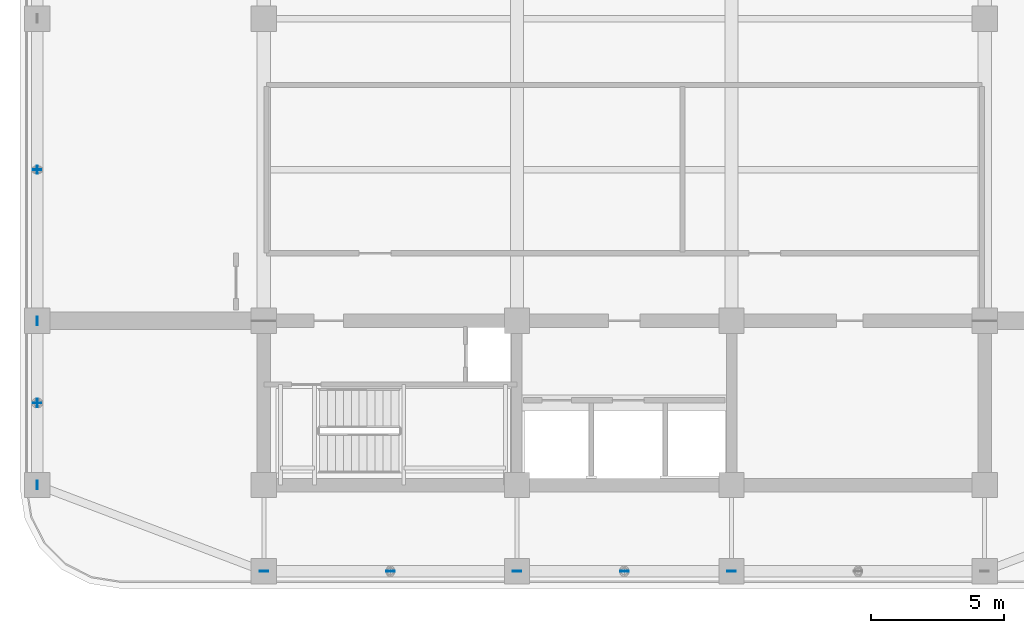
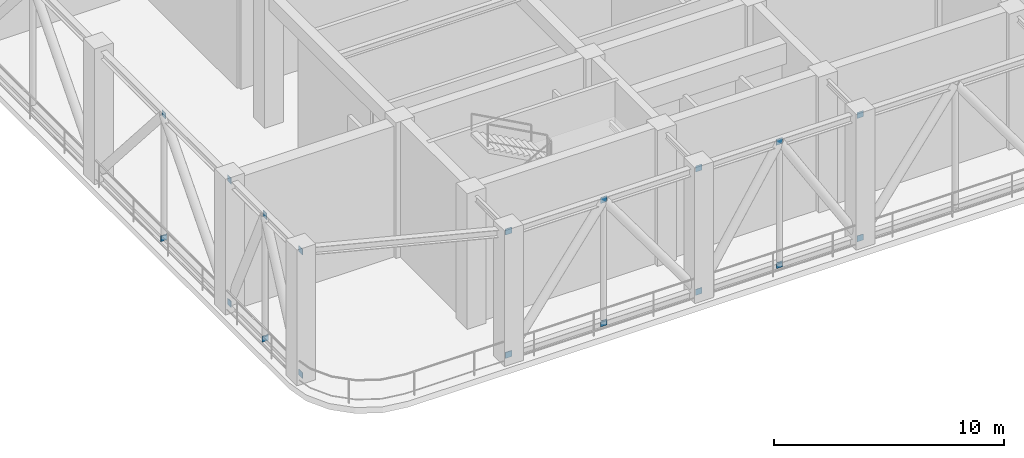
# One storey, part 12 of 20: 18 discrete accessories.
"""IFC4 building model written with IfcOpenShell, lengths in metres."""

from ifc_helpers import new_model, si_unit, direction, frame, origin, origin_2d, place, context, subcontext, project, spatial, rectangle, extrude, material, layer, layer_set, type_object, element, save


model = new_model("IFC4")

# Units and contexts
model_context = context("Model", 3, precision=1e-05, world=origin(), true_north=direction((0.0, 1.0)))
body_context = subcontext(model_context, "Body", "Model", "MODEL_VIEW")
ifc_project = project(units=[si_unit("LENGTHUNIT", "METRE"), si_unit("AREAUNIT", "SQUARE_METRE"), si_unit("VOLUMEUNIT", "CUBIC_METRE"), si_unit("PLANEANGLEUNIT", "RADIAN"), si_unit("MASSUNIT", "GRAM", prefix="KILO")], contexts=[model_context])

# Site, building, storey
site_placement = place(None, origin())
site = spatial("IfcSite", under=ifc_project, at=site_placement, CompositionType="ELEMENT")
building_placement = place(site_placement, origin())
building = spatial("IfcBuilding", under=site, at=building_placement, Name="Svetorya Sky Lyceum", CompositionType="ELEMENT")
storey_placement = place(building_placement, frame((0.0, 0.0, 195.89990234375)))
storey = spatial("IfcBuildingStorey", under=building, at=storey_placement, Name="L49", CompositionType="ELEMENT", Elevation=195.89990234375)

# Discrete accessories
ifc_material = material(Name="Steel S355", Category="steel")
ifc_layer = layer(ifc_material, 0.02392578125)
ifc_layer_set = layer_set([ifc_layer], Name="Steel S355")
discrete_accessory_type = type_object("IfcDiscreteAccessoryType", Name="ACC-GUSSET-24", PredefinedType="BRACKET", material=ifc_layer_set)
for number, where, z_axis, x_axis, name in (
    (1, (25.60009765625, 7.35009765625, 0.037109375), (0.0, 0.0, 1.0), (1.0, 0.0, 0.0), "L49 Brace Node Gusset Plate 129"),
    (2, (35.14990234375, 7.35009765625, 0.037109375), (0.0, 0.0, 1.0), (1.0, 0.0, 0.0), "L49 Brace Node Gusset Plate 130"),
    (3, (25.60009765625, 7.35009765625, 6.5830078125), (0.0, 0.0, 1.0), (1.0, 0.0, 0.0), "L49 Brace Node Gusset Plate 131"),
    (4, (35.14990234375, 7.35009765625, 6.5830078125), (0.0, 0.0, 1.0), (1.0, 0.0, 0.0), "L49 Brace Node Gusset Plate 132"),
    (5, (30.375, 7.35009765625, 6.5830078125), (0.0, 0.0, 1.0), (1.0, 0.0, 0.0), "L49 Brace Node Gusset Plate 133"),
    (6, (30.375, 7.35009765625, 0.037109375), (0.0, 0.0, 1.0), (1.0, 0.0, 0.0), "L49 Brace Node Gusset Plate 134"),
    (7, (43.25, 7.35009765625, 0.037109375), (0.0, 0.0, 1.0), (1.0, 0.0, 0.0), "L49 Brace Node Gusset Plate 135"),
    (8, (43.25, 7.35009765625, 6.5830078125), (0.0, 0.0, 1.0), (1.0, 0.0, 0.0), "L49 Brace Node Gusset Plate 136"),
    (9, (39.199951171875, 7.35009765625, 6.5830078125), (0.0, 0.0, 1.0), (1.0, 0.0, 0.0), "L49 Brace Node Gusset Plate 137"),
    (10, (39.199951171875, 7.35009765625, 0.037109375), (0.0, 0.0, 1.0), (1.0, 0.0, 0.0), "L49 Brace Node Gusset Plate 138"),
):
    element("IfcDiscreteAccessory", number, at=place(storey_placement, frame(where, z_axis=z_axis, x_axis=x_axis)), inside=storey, type_object=discrete_accessory_type, Name=name, PredefinedType="BRACKET", context=body_context, shape_type="SweptSolid", body=[
        extrude(rectangle(XDim=0.320068359375, YDim=0.02392578125, at=origin_2d()), origin(), (0.0, 0.0, 1.0), 0.320068359375),
    ])
for number, where, z_axis, x_axis, name in (
    (11, (17.050048828125, 10.60009765625, 0.037109375), (0.0, 0.0, 1.0), (1.0, 0.0, 0.0), "L49 Brace Node Gusset Plate 157"),
    (12, (17.050048828125, 16.800048828125, 0.037109375), (0.0, 0.0, 1.0), (1.0, 0.0, 0.0), "L49 Brace Node Gusset Plate 158"),
    (13, (17.050048828125, 10.60009765625, 6.5830078125), (0.0, 0.0, 1.0), (1.0, 0.0, 0.0), "L49 Brace Node Gusset Plate 159"),
    (14, (17.050048828125, 16.800048828125, 6.5830078125), (0.0, 0.0, 1.0), (1.0, 0.0, 0.0), "L49 Brace Node Gusset Plate 160"),
    (15, (17.050048828125, 13.699951171875, 6.5830078125), (0.0, 0.0, 1.0), (1.0, 0.0, 0.0), "L49 Brace Node Gusset Plate 161"),
):
    element("IfcDiscreteAccessory", number, at=place(storey_placement, frame(where, z_axis=z_axis, x_axis=x_axis)), inside=storey, type_object=discrete_accessory_type, Name=name, PredefinedType="BRACKET", context=body_context, shape_type="SweptSolid", body=[
        extrude(rectangle(XDim=0.02392578125, YDim=0.320068359375, at=origin_2d()), origin(), (0.0, 0.0, 1.0), 0.320068359375),
    ])
discrete_accessory_1_placement = place(storey_placement, frame((17.050048828125, 13.699951171875, 0.037109375), z_axis=(0.0, 0.0, 1.0), x_axis=(1.0, 0.0, 0.0)))
element("IfcDiscreteAccessory", 16, at=discrete_accessory_1_placement, inside=storey, type_object=discrete_accessory_type, Name="L49 Brace Node Gusset Plate 162", PredefinedType="BRACKET", context=body_context, shape_type="SweptSolid", body=[
    extrude(rectangle(XDim=0.320068359375, YDim=0.02392578125, at=origin_2d()), origin(), (0.0, 0.0, 1.0), 0.320068359375),
])
discrete_accessory_2_placement = place(storey_placement, frame((17.050048828125, 22.5, 6.5830078125), z_axis=(0.0, 0.0, 1.0), x_axis=(1.0, 0.0, 0.0)))
element("IfcDiscreteAccessory", 17, at=discrete_accessory_2_placement, inside=storey, type_object=discrete_accessory_type, Name="L49 Brace Node Gusset Plate 165", PredefinedType="BRACKET", context=body_context, shape_type="SweptSolid", body=[
    extrude(rectangle(XDim=0.02392578125, YDim=0.320068359375, at=origin_2d()), origin(), (0.0, 0.0, 1.0), 0.320068359375),
])
discrete_accessory_3_placement = place(storey_placement, frame((17.050048828125, 22.5, 0.037109375), z_axis=(0.0, 0.0, 1.0), x_axis=(1.0, 0.0, 0.0)))
element("IfcDiscreteAccessory", 18, at=discrete_accessory_3_placement, inside=storey, type_object=discrete_accessory_type, Name="L49 Brace Node Gusset Plate 166", PredefinedType="BRACKET", context=body_context, shape_type="SweptSolid", body=[
    extrude(rectangle(XDim=0.320068359375, YDim=0.02392578125, at=origin_2d()), origin(), (0.0, 0.0, 1.0), 0.320068359375),
])

save(model, "model.ifc")
